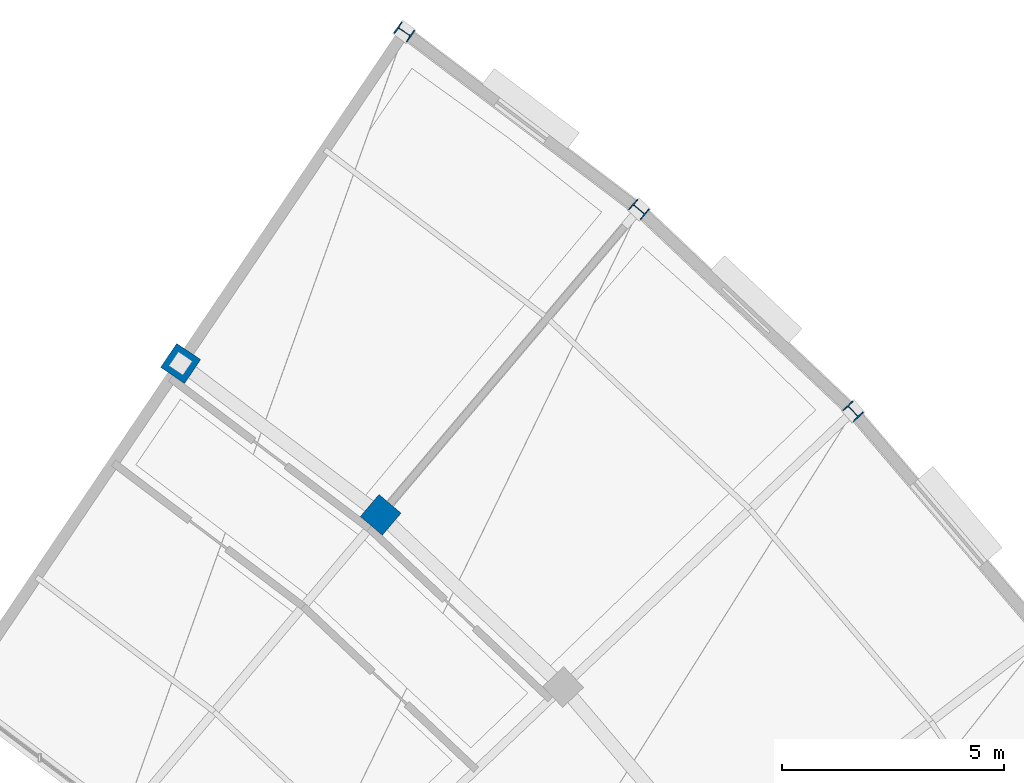
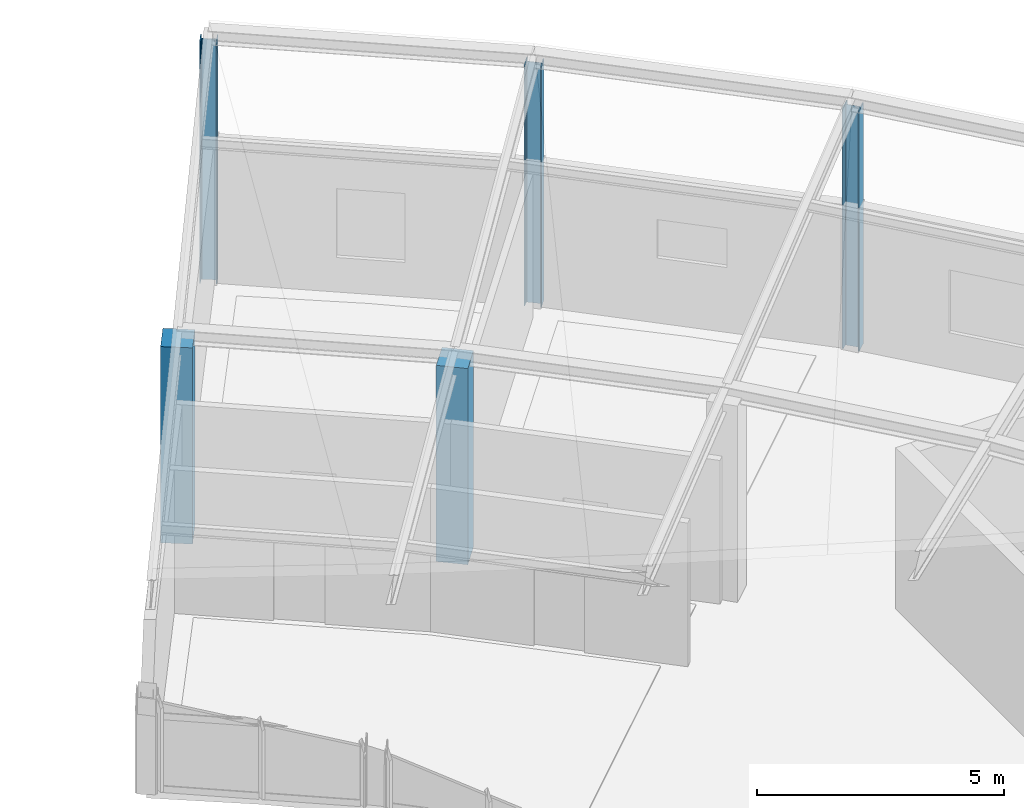
# One storey, part 3 of 36: 5 columns.
"""IFC4 building model written with IfcOpenShell, lengths in metres."""

from ifc_helpers import new_model, si_unit, direction, frame, origin, origin_2d, place, context, subcontext, project, spatial, rectangle, i_section, extrude, material, material_profile, profile_set, type_object, element, save


model = new_model("IFC4")

# Units and contexts
model_context = context("Model", 3, precision=1e-05, world=origin(), true_north=direction((0.0, 1.0)))
body_context = subcontext(model_context, "Body", "Model", "MODEL_VIEW")
ifc_project = project(units=[si_unit("LENGTHUNIT", "METRE"), si_unit("AREAUNIT", "SQUARE_METRE"), si_unit("VOLUMEUNIT", "CUBIC_METRE"), si_unit("PLANEANGLEUNIT", "RADIAN"), si_unit("MASSUNIT", "GRAM", prefix="KILO")], contexts=[model_context])

# Site, building, storey
site_placement = place(None, origin())
site = spatial("IfcSite", under=ifc_project, at=site_placement, CompositionType="ELEMENT")
building_placement = place(site_placement, origin())
building = spatial("IfcBuilding", under=site, at=building_placement, Name="Tarnveldt Headland Concert Hall", CompositionType="ELEMENT")
storey_placement = place(building_placement, frame((0.0, 0.0, 22.800048828125)))
storey = spatial("IfcBuildingStorey", under=building, at=storey_placement, Name="L05", CompositionType="ELEMENT", Elevation=22.800048828125)

# Columns
ifc_material_1 = material(Name="Concrete C40/50", Category="concrete")
ifc_material_profile_1 = material_profile(ifc_material_1, rectangle(XDim=0.64990234375, YDim=0.64990234375, at=origin_2d()), Name="RC 650x650", Category="concrete")
ifc_profile_set_1 = profile_set([ifc_material_profile_1], Name="Concrete C40/50")
column_type_1 = type_object("IfcColumnType", Name="CC-650", PredefinedType="COLUMN", material=ifc_profile_set_1)
for number, where, z_axis, x_axis, name in (
    (1, (151.0791015625, 99.704345703125, 0.0), (0.0, 0.0, 1.0), (0.645724263505, 0.763570674869, 0.0), "Column V3C17MD L05"),
    (2, (146.577880859375, 103.110107421875, 0.0), (0.0, 0.0, 1.0), (0.559192903471, 0.829037572555, 0.0), "Column V3C18MD L05"),
):
    element("IfcColumn", number, at=place(storey_placement, frame(where, z_axis=z_axis, x_axis=x_axis)), inside=storey, type_object=column_type_1, Name=name, PredefinedType="COLUMN", context=body_context, shape_type="SweptSolid", body=[
        extrude(rectangle(XDim=0.64990234375, YDim=0.64990234375, at=origin_2d()), origin(), (0.0, 0.0, 1.0), 4.83984375),
    ])
ifc_material_2 = material(Name="Steel S355", Category="steel")
ifc_material_profile_2 = material_profile(ifc_material_2, i_section(OverallWidth=0.300048828125, OverallDepth=0.360107421875, WebThickness=0.012451171875, FlangeThickness=0.0224609375, FilletRadius=0.027099609375, at=origin_2d()), Name="HEB360", Category="steel")
ifc_profile_set_2 = profile_set([ifc_material_profile_2], Name="Steel S355")
column_type_2 = type_object("IfcColumnType", Name="SC-HEB360", PredefinedType="COLUMN", material=ifc_profile_set_2)
for number, where, z_axis, x_axis, name in (
    (3, (161.70703125, 102.032470703125, 0.0), (0.0, 0.0, 1.0), (0.724653130187, 0.689113808387, 0.0), "Column V3C16OUT L05"),
    (4, (156.89111328125, 106.576416015625, 0.0), (0.0, 0.0, 1.0), (0.645724263505, 0.763570674869, 0.0), "Column V3C17OUT L05"),
    (5, (151.61083984375, 110.5712890625, 0.0), (0.0, 0.0, 1.0), (0.559192903471, 0.829037572555, 0.0), "Column V3C18OUT L05"),
):
    element("IfcColumn", number, at=place(storey_placement, frame(where, z_axis=z_axis, x_axis=x_axis)), inside=storey, type_object=column_type_2, Name=name, PredefinedType="COLUMN", context=body_context, shape_type="SweptSolid", body=[
        extrude(i_section(OverallWidth=0.300048828125, OverallDepth=0.360107421875, WebThickness=0.012451171875, FlangeThickness=0.0224609375, FilletRadius=0.027099609375, at=origin_2d()), origin(), (0.0, 0.0, 1.0), 5.93994140625),
    ])

save(model, "model.ifc")
